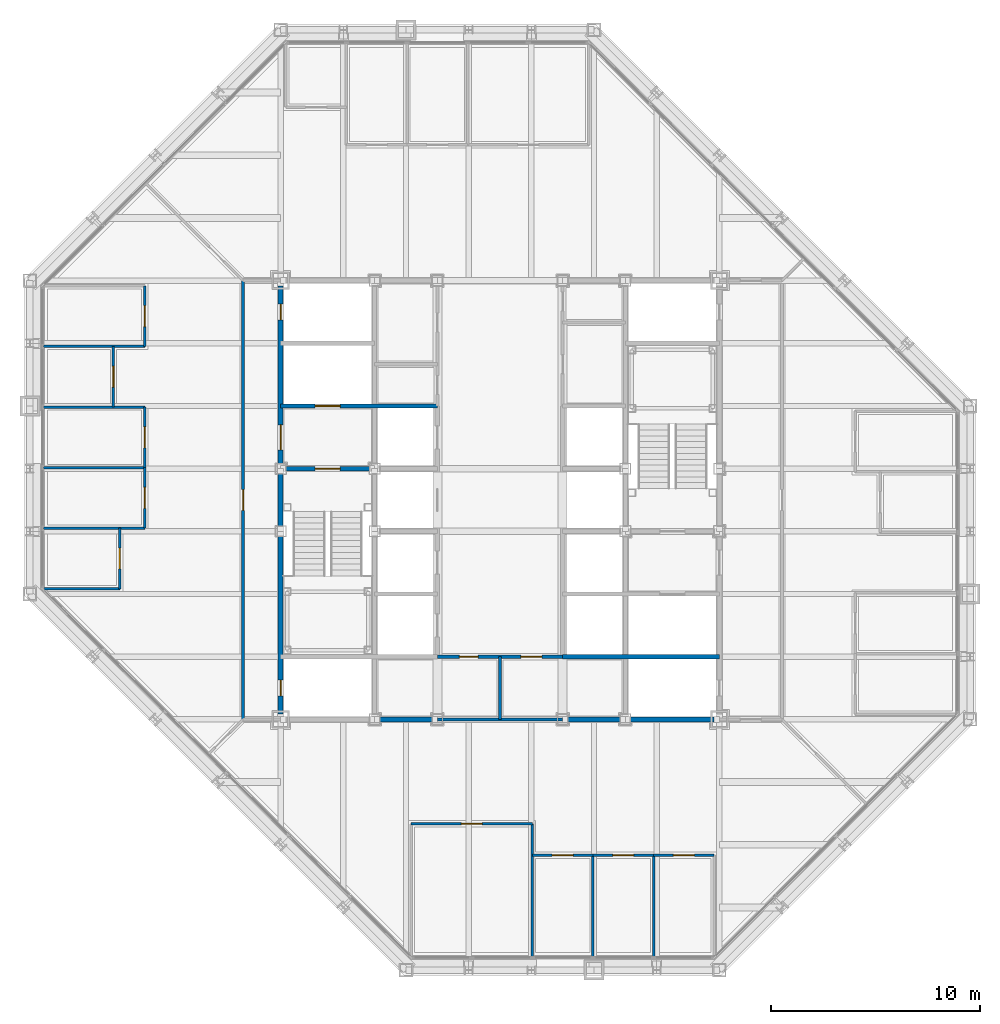
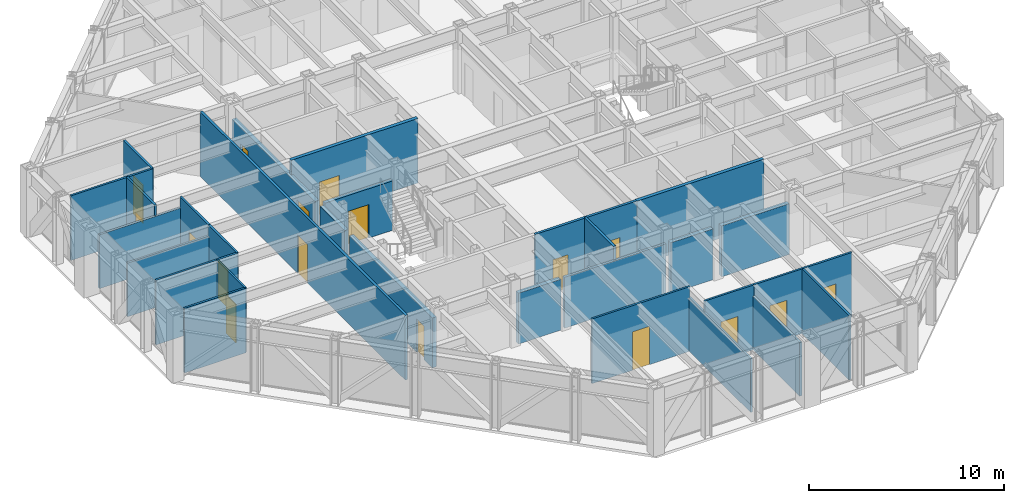
# One storey, part 11 of 16: 30 walls, 17 doors, 17 openings.
"""IFC4 building model written with IfcOpenShell, lengths in metres."""

from ifc_helpers import new_model, si_unit, direction, frame, frame_2d, origin, place, context, subcontext, project, spatial, rectangle, extrude, material, layer, layer_set, type_object, element, fill, save


model = new_model("IFC4")

# Units and contexts
model_context = context("Model", 3, precision=1e-05, world=origin(), true_north=direction((0.0, 1.0)))
body_context = subcontext(model_context, "Body", "Model", "MODEL_VIEW")
ifc_project = project(units=[si_unit("LENGTHUNIT", "METRE"), si_unit("AREAUNIT", "SQUARE_METRE"), si_unit("VOLUMEUNIT", "CUBIC_METRE"), si_unit("PLANEANGLEUNIT", "RADIAN"), si_unit("MASSUNIT", "GRAM", prefix="KILO")], contexts=[model_context])

# Site, building, storey
site_placement = place(None, origin())
site = spatial("IfcSite", under=ifc_project, at=site_placement, CompositionType="ELEMENT")
building_placement = place(site_placement, origin())
building = spatial("IfcBuilding", under=site, at=building_placement, Name="Chuquiago Exchange Tower", CompositionType="ELEMENT")
storey_placement = place(building_placement, frame((0.0, 0.0, 226.5)))
storey = spatial("IfcBuildingStorey", under=building, at=storey_placement, Name="L50", CompositionType="ELEMENT", Elevation=226.5)

# Wall, opening, door
ifc_material_1 = material(Name="Concrete masonry, fully grouted", Category="masonry")
ifc_layer_1 = layer(ifc_material_1, 0.25)
ifc_layer_set_1 = layer_set([ifc_layer_1], Name="W1 core wall 250")
wall_type_1 = type_object("IfcWallType", Name="W1 core wall 250", PredefinedType="SOLIDWALL", material=ifc_layer_set_1)
wall_1_placement = place(storey_placement, frame((12.0, 12.25, 0.0), z_axis=(0.0, 0.0, 1.0), x_axis=(0.0, 1.0, 0.0)))
wall_1 = element("IfcWall", 1, at=wall_1_placement, inside=storey, type_object=wall_type_1, Name="CW-L50-00-0", PredefinedType="SOLIDWALL", context=body_context, shape_type="SweptSolid", body=[
    extrude(rectangle(XDim=8.5, YDim=0.25, at=frame_2d((4.25, 0.0))), origin(), (0.0, 0.0, 1.0), 3.11279296875),
])
opening_1_placement = place(wall_1_placement, frame((0.875, 0.0, 0.0)))
opening_1 = element("IfcOpeningElement", 2, at=opening_1_placement, cuts=wall_1, Name="Opening L50-007", PredefinedType="OPENING", context=body_context, shape_type="SweptSolid", body=[
    extrude(rectangle(XDim=0.75, YDim=2.10009765625, at=frame_2d((0.375, 1.050048828125))), frame((0.0, 0.135009765625, 0.0), z_axis=(0.0, -1.0, 0.0), x_axis=(1.0, 0.0, 0.0)), (0.0, 0.0, 1.0), 0.27001953125),
])
ifc_material_2 = material(Name="Steel door, painted", Category="steel")
door_type_1 = type_object("IfcDoorType", Name="D6 riser access door 750x2100", OperationType="SINGLE_SWING_LEFT", PredefinedType="DOOR", material=ifc_material_2)
door_1_placement = place(opening_1_placement, origin())
door_1 = element("IfcDoor", 3, at=door_1_placement, inside=storey, type_object=door_type_1, Name="Riser RW1 door", OperationType="SINGLE_SWING_LEFT", OverallHeight=2.10009765625, OverallWidth=0.75, PredefinedType="DOOR", context=body_context, shape_type="SweptSolid", body=[
    extrude(rectangle(XDim=0.75, YDim=2.10009765625, at=frame_2d((0.375, 1.050048828125))), frame((0.0, 0.02490234375, 0.0), z_axis=(0.0, -1.0, 0.0), x_axis=(1.0, 0.0, 0.0)), (0.0, 0.0, 1.0), 0.050048828125),
])
fill(opening_1, door_1)

# Wall
wall_2_placement = place(storey_placement, frame((12.0, 21.25, 0.0), z_axis=(0.0, 0.0, 1.0), x_axis=(0.0, 1.0, 0.0)))
element("IfcWall", 4, at=wall_2_placement, inside=storey, type_object=wall_type_1, Name="CW-L50-00-1", PredefinedType="SOLIDWALL", context=body_context, shape_type="SweptSolid", body=[
    extrude(rectangle(XDim=2.5, YDim=0.25, at=frame_2d((1.25, 0.0))), origin(), (0.0, 0.0, 1.0), 3.11279296875),
])

# Wall, openings, doors
wall_3_placement = place(storey_placement, frame((12.0, 24.25, 0.0), z_axis=(0.0, 0.0, 1.0), x_axis=(0.0, 1.0, 0.0)))
wall_3 = element("IfcWall", 5, at=wall_3_placement, inside=storey, type_object=wall_type_1, Name="CW-L50-00-2", PredefinedType="SOLIDWALL", context=body_context, shape_type="SweptSolid", body=[
    extrude(rectangle(XDim=8.5, YDim=0.25, at=frame_2d((4.25, 0.0))), origin(), (0.0, 0.0, 1.0), 3.11279296875),
])
opening_2_placement = place(wall_3_placement, frame((0.64990234375, 0.0, 0.0)))
opening_2 = element("IfcOpeningElement", 6, at=opening_2_placement, cuts=wall_3, Name="Opening L50-002", PredefinedType="OPENING", context=body_context, shape_type="SweptSolid", body=[
    extrude(rectangle(XDim=1.199951171875, YDim=2.10009765625, at=frame_2d((0.60009765625, 1.050048828125))), frame((0.0, 0.135009765625, 0.0), z_axis=(0.0, -1.0, 0.0), x_axis=(1.0, 0.0, 0.0)), (0.0, 0.0, 1.0), 0.27001953125),
])
opening_3_placement = place(wall_3_placement, frame((6.875, 0.0, 0.0)))
opening_3 = element("IfcOpeningElement", 7, at=opening_3_placement, cuts=wall_3, Name="Opening L50-008", PredefinedType="OPENING", context=body_context, shape_type="SweptSolid", body=[
    extrude(rectangle(XDim=0.75, YDim=2.10009765625, at=frame_2d((0.375, 1.050048828125))), frame((0.0, 0.135009765625, 0.0), z_axis=(0.0, -1.0, 0.0), x_axis=(1.0, 0.0, 0.0)), (0.0, 0.0, 1.0), 0.27001953125),
])
ifc_material_3 = material(Name="Steel door, painted", Category="steel")
door_type_2 = type_object("IfcDoorType", Name="D5 firefighting lobby door 1200x2100", OperationType="SINGLE_SWING_LEFT", PredefinedType="DOOR", material=ifc_material_3)
door_2_placement = place(opening_2_placement, frame((1.199951171875, 0.0, 0.0), z_axis=(0.0, 0.0, 1.0), x_axis=(-1.0, 0.0, 0.0)))
door_2 = element("IfcDoor", 8, at=door_2_placement, inside=storey, type_object=door_type_2, Name="Firefighting lobby 1 door", OperationType="SINGLE_SWING_RIGHT", OverallHeight=2.10009765625, OverallWidth=1.199951171875, PredefinedType="DOOR", context=body_context, shape_type="SweptSolid", body=[
    extrude(rectangle(XDim=1.199951171875, YDim=2.10009765625, at=frame_2d((0.60009765625, 1.050048828125))), frame((0.0, 0.02490234375, 0.0), z_axis=(0.0, -1.0, 0.0), x_axis=(1.0, 0.0, 0.0)), (0.0, 0.0, 1.0), 0.050048828125),
])
fill(opening_2, door_2)
door_3_placement = place(opening_3_placement, origin())
door_3 = element("IfcDoor", 9, at=door_3_placement, inside=storey, type_object=door_type_1, Name="Riser RW2 door", OperationType="SINGLE_SWING_RIGHT", OverallHeight=2.10009765625, OverallWidth=0.75, PredefinedType="DOOR", context=body_context, shape_type="SweptSolid", body=[
    extrude(rectangle(XDim=0.75, YDim=2.10009765625, at=frame_2d((0.375, 1.050048828125))), frame((0.0, 0.02490234375, 0.0), z_axis=(0.0, -1.0, 0.0), x_axis=(1.0, 0.0, 0.0)), (0.0, 0.0, 1.0), 0.050048828125),
])
fill(opening_3, door_3)

# Walls
for number, where, z_axis, x_axis, name in (
    (10, (16.75, 12.0, 0.0), (0.0, 0.0, 1.0), (1.0, 0.0, 0.0), "CW-L50-01-1"),
    (11, (25.75, 12.0, 0.0), (0.0, 0.0, 1.0), (1.0, 0.0, 0.0), "CW-L50-02-0"),
):
    element("IfcWall", number, at=place(storey_placement, frame(where, z_axis=z_axis, x_axis=x_axis)), inside=storey, type_object=wall_type_1, Name=name, PredefinedType="SOLIDWALL", context=body_context, shape_type="SweptSolid", body=[
        extrude(rectangle(XDim=2.5, YDim=0.25, at=frame_2d((1.25, 0.0))), origin(), (0.0, 0.0, 1.0), 3.181396484375),
    ])
wall_4_placement = place(storey_placement, frame((28.75, 12.0, 0.0), z_axis=(0.0, 0.0, 1.0), x_axis=(1.0, 0.0, 0.0)))
element("IfcWall", 12, at=wall_4_placement, inside=storey, type_object=wall_type_1, Name="CW-L50-02-1", PredefinedType="SOLIDWALL", context=body_context, shape_type="SweptSolid", body=[
    extrude(rectangle(XDim=4.0, YDim=0.25, at=frame_2d((2.0, 0.0))), origin(), (0.0, 0.0, 1.0), 3.181396484375),
])

# Wall, opening, door
ifc_material_4 = material(Name="Gypsum board on steel studs, acoustic insulation", Category="steel")
ifc_layer_2 = layer(ifc_material_4, 0.14990234375)
ifc_layer_set_2 = layer_set([ifc_layer_2], Name="W11 corridor wall 150")
wall_type_2 = type_object("IfcWallType", Name="W11 corridor wall 150", PredefinedType="PARTITIONING", material=ifc_layer_set_2)
wall_5_placement = place(storey_placement, frame((10.199951171875, 12.0, 0.0), z_axis=(0.0, 0.0, 1.0), x_axis=(0.0, 1.0, 0.0)))
wall_5 = element("IfcWall", 13, at=wall_5_placement, inside=storey, type_object=wall_type_2, Name="PW-L50-GW0", PredefinedType="PARTITIONING", context=body_context, shape_type="SweptSolid", body=[
    extrude(rectangle(XDim=21.0, YDim=0.14990234375, at=frame_2d((10.5, 0.0))), origin(), (0.0, 0.0, 1.0), 4.0400390625),
])
opening_4_placement = place(wall_5_placement, frame((10.0, 0.0, 0.0)))
opening_4 = element("IfcOpeningElement", 14, at=opening_4_placement, cuts=wall_5, Name="Opening L50-038", PredefinedType="OPENING", context=body_context, shape_type="SweptSolid", body=[
    extrude(rectangle(XDim=1.0, YDim=2.39990234375, at=frame_2d((0.5, 1.199951171875))), frame((0.0, 0.0849609375, 0.0), z_axis=(0.0, -1.0, 0.0), x_axis=(1.0, 0.0, 0.0)), (0.0, 0.0, 1.0), 0.169921875),
])
ifc_material_5 = material(Name="Timber door, laminate faced", Category="wood")
door_type_3 = type_object("IfcDoorType", Name="D9 room door 1000x2400", OperationType="SINGLE_SWING_LEFT", PredefinedType="DOOR", material=ifc_material_5)
door_4_placement = place(opening_4_placement, origin())
door_4 = element("IfcDoor", 15, at=door_4_placement, inside=storey, type_object=door_type_3, Name="Team area door", OperationType="SINGLE_SWING_LEFT", OverallHeight=2.39990234375, OverallWidth=1.0, PredefinedType="DOOR", context=body_context, shape_type="SweptSolid", body=[
    extrude(rectangle(XDim=1.0, YDim=2.39990234375, at=frame_2d((0.5, 1.199951171875))), frame((0.0, 0.02490234375, 0.0), z_axis=(0.0, -1.0, 0.0), x_axis=(1.0, 0.0, 0.0)), (0.0, 0.0, 1.0), 0.050048828125),
])
fill(opening_4, door_4)

# Wall
ifc_material_6 = material(Name="Concrete masonry, fully grouted", Category="masonry")
ifc_layer_3 = layer(ifc_material_6, 0.199951171875)
ifc_layer_set_3 = layer_set([ifc_layer_3], Name="W2 shaft wall 200")
wall_type_3 = type_object("IfcWallType", Name="W2 shaft wall 200", PredefinedType="SOLIDWALL", material=ifc_layer_set_3)
wall_6_placement = place(storey_placement, frame((25.5, 15.0, 0.0), z_axis=(0.0, 0.0, 1.0), x_axis=(1.0, 0.0, 0.0)))
element("IfcWall", 16, at=wall_6_placement, inside=storey, type_object=wall_type_3, Name="CW-L50-04-0", PredefinedType="SOLIDWALL", context=body_context, shape_type="SweptSolid", body=[
    extrude(rectangle(XDim=7.5, YDim=0.199951171875, at=frame_2d((3.75, 0.0))), origin(), (0.0, 0.0, 1.0), 4.0400390625),
])

# Wall, opening, door
wall_7_placement = place(storey_placement, frame((12.25, 24.0, 0.0), z_axis=(0.0, 0.0, 1.0), x_axis=(1.0, 0.0, 0.0)))
wall_7 = element("IfcWall", 17, at=wall_7_placement, inside=storey, type_object=wall_type_3, Name="CW-L50-05-0", PredefinedType="SOLIDWALL", context=body_context, shape_type="SweptSolid", body=[
    extrude(rectangle(XDim=4.0, YDim=0.199951171875, at=frame_2d((2.0, 0.0))), origin(), (0.0, 0.0, 1.0), 3.090087890625),
])
opening_5_placement = place(wall_7_placement, frame((1.39990234375, 0.0, 0.0)))
opening_5 = element("IfcOpeningElement", 18, at=opening_5_placement, cuts=wall_7, Name="Opening L50-001", PredefinedType="OPENING", context=body_context, shape_type="SweptSolid", body=[
    extrude(rectangle(XDim=1.199951171875, YDim=2.10009765625, at=frame_2d((0.60009765625, 1.050048828125))), frame((0.0, 0.10986328125, 0.0), z_axis=(0.0, -1.0, 0.0), x_axis=(1.0, 0.0, 0.0)), (0.0, 0.0, 1.0), 0.219970703125),
])
ifc_material_7 = material(Name="Steel door, painted", Category="steel")
door_type_4 = type_object("IfcDoorType", Name="D4 stair door 1200x2100", OperationType="SINGLE_SWING_LEFT", PredefinedType="DOOR", material=ifc_material_7)
door_5_placement = place(opening_5_placement, frame((1.199951171875, 0.0, 0.0), z_axis=(0.0, 0.0, 1.0), x_axis=(-1.0, 0.0, 0.0)))
door_5 = element("IfcDoor", 19, at=door_5_placement, inside=storey, type_object=door_type_4, Name="Stair ST1 door", OperationType="SINGLE_SWING_RIGHT", OverallHeight=2.10009765625, OverallWidth=1.199951171875, PredefinedType="DOOR", context=body_context, shape_type="SweptSolid", body=[
    extrude(rectangle(XDim=1.199951171875, YDim=2.10009765625, at=frame_2d((0.60009765625, 1.050048828125))), frame((0.0, 0.02490234375, 0.0), z_axis=(0.0, -1.0, 0.0), x_axis=(1.0, 0.0, 0.0)), (0.0, 0.0, 1.0), 0.050048828125),
])
fill(opening_5, door_5)

wall_8_placement = place(storey_placement, frame((12.0, 27.0, 0.0), z_axis=(0.0, 0.0, 1.0), x_axis=(1.0, 0.0, 0.0)))
wall_8 = element("IfcWall", 20, at=wall_8_placement, inside=storey, type_object=wall_type_3, Name="CW-L50-07-0", PredefinedType="SOLIDWALL", context=body_context, shape_type="SweptSolid", body=[
    extrude(rectangle(XDim=7.5, YDim=0.199951171875, at=frame_2d((3.75, 0.0))), origin(), (0.0, 0.0, 1.0), 4.0400390625),
])
opening_6_placement = place(wall_8_placement, frame((1.64990234375, 0.0, 0.0)))
opening_6 = element("IfcOpeningElement", 21, at=opening_6_placement, cuts=wall_8, Name="Opening L50-005", PredefinedType="OPENING", context=body_context, shape_type="SweptSolid", body=[
    extrude(rectangle(XDim=1.199951171875, YDim=2.10009765625, at=frame_2d((0.60009765625, 1.050048828125))), frame((0.0, 0.10986328125, 0.0), z_axis=(0.0, -1.0, 0.0), x_axis=(1.0, 0.0, 0.0)), (0.0, 0.0, 1.0), 0.219970703125),
])
ifc_material_8 = material(Name="Stainless steel lift landing door", Category="steel")
door_type_5 = type_object("IfcDoorType", Name="LD2 firefighting lift landing door 1200x2100", OperationType="DOUBLE_DOOR_SLIDING", PredefinedType="DOOR", material=ifc_material_8)
door_6_placement = place(opening_6_placement, origin())
door_6 = element("IfcDoor", 22, at=door_6_placement, inside=storey, type_object=door_type_5, Name="Firefighting lift FL1 landing door", OperationType="DOUBLE_DOOR_SLIDING", OverallHeight=2.10009765625, OverallWidth=1.199951171875, PredefinedType="DOOR", context=body_context, shape_type="SweptSolid", body=[
    extrude(rectangle(XDim=1.199951171875, YDim=2.10009765625, at=frame_2d((0.60009765625, 1.050048828125))), frame((0.0, 0.02490234375, 0.0), z_axis=(0.0, -1.0, 0.0), x_axis=(1.0, 0.0, 0.0)), (0.0, 0.0, 1.0), 0.050048828125),
])
fill(opening_6, door_6)

# Wall, openings, doors
ifc_material_9 = material(Name="Gypsum board on steel studs", Category="steel")
ifc_layer_4 = layer(ifc_material_9, 0.14990234375)
ifc_layer_set_4 = layer_set([ifc_layer_4], Name="W3 core partition 150")
wall_type_4 = type_object("IfcWallType", Name="W3 core partition 150", PredefinedType="PARTITIONING", material=ifc_layer_set_4)
wall_9_placement = place(storey_placement, frame((19.5, 15.0, 0.0), z_axis=(0.0, 0.0, 1.0), x_axis=(1.0, 0.0, 0.0)))
wall_9 = element("IfcWall", 23, at=wall_9_placement, inside=storey, type_object=wall_type_4, Name="CW-L50-TF", PredefinedType="PARTITIONING", context=body_context, shape_type="SweptSolid", body=[
    extrude(rectangle(XDim=6.0, YDim=0.14990234375, at=frame_2d((3.0, 0.0))), origin(), (0.0, 0.0, 1.0), 4.0400390625),
])
opening_7_placement = place(wall_9_placement, frame((4.0, 0.0, 0.0)))
opening_7 = element("IfcOpeningElement", 24, at=opening_7_placement, cuts=wall_9, Name="Opening L50-015", PredefinedType="OPENING", context=body_context, shape_type="SweptSolid", body=[
    extrude(rectangle(XDim=1.0, YDim=2.10009765625, at=frame_2d((0.5, 1.050048828125))), frame((0.0, 0.0849609375, 0.0), z_axis=(0.0, -1.0, 0.0), x_axis=(1.0, 0.0, 0.0)), (0.0, 0.0, 1.0), 0.169921875),
])
opening_8_placement = place(wall_9_placement, frame((1.050048828125, 0.0, 0.0)))
opening_8 = element("IfcOpeningElement", 25, at=opening_8_placement, cuts=wall_9, Name="Opening L50-016", PredefinedType="OPENING", context=body_context, shape_type="SweptSolid", body=[
    extrude(rectangle(XDim=0.89990234375, YDim=2.10009765625, at=frame_2d((0.449951171875, 1.050048828125))), frame((0.0, 0.0849609375, 0.0), z_axis=(0.0, -1.0, 0.0), x_axis=(1.0, 0.0, 0.0)), (0.0, 0.0, 1.0), 0.169921875),
])
ifc_material_10 = material(Name="Timber door, laminate faced", Category="wood")
door_type_6 = type_object("IfcDoorType", Name="D7 toilet door 900x2100", OperationType="SINGLE_SWING_LEFT", PredefinedType="DOOR", material=ifc_material_10)
door_7_placement = place(opening_8_placement, origin())
door_7 = element("IfcDoor", 26, at=door_7_placement, inside=storey, type_object=door_type_6, Name="Cleaner door", OperationType="SINGLE_SWING_LEFT", OverallHeight=2.10009765625, OverallWidth=0.89990234375, PredefinedType="DOOR", context=body_context, shape_type="SweptSolid", body=[
    extrude(rectangle(XDim=0.89990234375, YDim=2.10009765625, at=frame_2d((0.449951171875, 1.050048828125))), frame((0.0, 0.02490234375, 0.0), z_axis=(0.0, -1.0, 0.0), x_axis=(1.0, 0.0, 0.0)), (0.0, 0.0, 1.0), 0.050048828125),
])
fill(opening_8, door_7)
ifc_material_11 = material(Name="Timber door, laminate faced", Category="wood")
door_type_7 = type_object("IfcDoorType", Name="D8 accessible toilet door 1000x2100", OperationType="SLIDING_TO_LEFT", PredefinedType="DOOR", material=ifc_material_11)
door_8_placement = place(opening_7_placement, origin())
door_8 = element("IfcDoor", 27, at=door_8_placement, inside=storey, type_object=door_type_7, Name="Accessible WC door", OperationType="SLIDING_TO_LEFT", OverallHeight=2.10009765625, OverallWidth=1.0, PredefinedType="DOOR", context=body_context, shape_type="SweptSolid", body=[
    extrude(rectangle(XDim=1.0, YDim=2.10009765625, at=frame_2d((0.5, 1.050048828125))), frame((0.0, 0.02490234375, 0.0), z_axis=(0.0, -1.0, 0.0), x_axis=(1.0, 0.0, 0.0)), (0.0, 0.0, 1.0), 0.050048828125),
])
fill(opening_7, door_8)

# Walls
wall_10_placement = place(storey_placement, frame((22.5, 15.0, 0.0), z_axis=(0.0, 0.0, 1.0), x_axis=(0.0, -1.0, 0.0)))
element("IfcWall", 28, at=wall_10_placement, inside=storey, type_object=wall_type_4, Name="CW-L50-TM", PredefinedType="PARTITIONING", context=body_context, shape_type="SweptSolid", body=[
    extrude(rectangle(XDim=3.0, YDim=0.14990234375, at=frame_2d((1.5, 0.0))), origin(), (0.0, 0.0, 1.0), 4.0400390625),
])
wall_11_placement = place(storey_placement, frame((19.5, 12.0, 0.0), z_axis=(0.0, 0.0, 1.0), x_axis=(1.0, 0.0, 0.0)))
element("IfcWall", 29, at=wall_11_placement, inside=storey, type_object=wall_type_4, Name="CW-L50-TB", PredefinedType="PARTITIONING", context=body_context, shape_type="SweptSolid", body=[
    extrude(rectangle(XDim=6.0, YDim=0.14990234375, at=frame_2d((3.0, 0.0))), origin(), (0.0, 0.0, 1.0), 3.181396484375),
])
ifc_material_12 = material(Name="Gypsum board on steel studs", Category="steel")
ifc_layer_5 = layer(ifc_material_12, 0.1201171875)
ifc_layer_set_5 = layer_set([ifc_layer_5], Name="W4 partition 120")
wall_type_5 = type_object("IfcWallType", Name="W4 partition 120", PredefinedType="PARTITIONING", material=ifc_layer_set_5)
wall_12_placement = place(storey_placement, frame((24.0498046875, 0.652587890625, 0.0), z_axis=(0.0, 0.0, 1.0), x_axis=(0.0, 1.0, 0.0)))
element("IfcWall", 30, at=wall_12_placement, inside=storey, type_object=wall_type_5, Name="PW-L50-S02405", PredefinedType="PARTITIONING", context=body_context, shape_type="SweptSolid", body=[
    extrude(rectangle(XDim=6.347412109375, YDim=0.1201171875, at=frame_2d((3.173828125, 0.0))), origin(), (0.0, 0.0, 1.0), 3.356689453125),
])
wall_13_placement = place(storey_placement, frame((26.9501953125, 0.652587890625, 0.0), z_axis=(0.0, 0.0, 1.0), x_axis=(0.0, 1.0, 0.0)))
element("IfcWall", 31, at=wall_13_placement, inside=storey, type_object=wall_type_5, Name="PW-L50-S02695", PredefinedType="PARTITIONING", context=body_context, shape_type="SweptSolid", body=[
    extrude(rectangle(XDim=4.847412109375, YDim=0.1201171875, at=frame_2d((2.423828125, 0.0))), origin(), (0.0, 0.0, 1.0), 3.356689453125),
])
wall_14_placement = place(storey_placement, frame((29.850830078125, 0.652587890625, 0.0), z_axis=(0.0, 0.0, 1.0), x_axis=(0.0, 1.0, 0.0)))
element("IfcWall", 32, at=wall_14_placement, inside=storey, type_object=wall_type_5, Name="PW-L50-S02985", PredefinedType="PARTITIONING", context=body_context, shape_type="SweptSolid", body=[
    extrude(rectangle(XDim=4.847412109375, YDim=0.1201171875, at=frame_2d((2.423828125, 0.0))), origin(), (0.0, 0.0, 1.0), 4.0400390625),
])

# Wall, opening, door
wall_15_placement = place(storey_placement, frame((18.24853515625, 7.0, 0.0), z_axis=(0.0, 0.0, 1.0), x_axis=(1.0, 0.0, 0.0)))
wall_15 = element("IfcWall", 33, at=wall_15_placement, inside=storey, type_object=wall_type_5, Name="PW-L50-SF01825", PredefinedType="PARTITIONING", context=body_context, shape_type="SweptSolid", body=[
    extrude(rectangle(XDim=5.80126953125, YDim=0.1201171875, at=frame_2d((2.900634765625, 0.0))), origin(), (0.0, 0.0, 1.0), 4.0400390625),
])
opening_9_placement = place(wall_15_placement, frame((2.400634765625, 0.0, 0.0)))
opening_9 = element("IfcOpeningElement", 34, at=opening_9_placement, cuts=wall_15, Name="Opening L50-021", PredefinedType="OPENING", context=body_context, shape_type="SweptSolid", body=[
    extrude(rectangle(XDim=1.0, YDim=2.39990234375, at=frame_2d((0.5, 1.199951171875))), frame((0.0, 0.070068359375, 0.0), z_axis=(0.0, -1.0, 0.0), x_axis=(1.0, 0.0, 0.0)), (0.0, 0.0, 1.0), 0.14013671875),
])
ifc_material_13 = material(Name="Timber frame door, full height glazed panel", Category="wood")
door_type_8 = type_object("IfcDoorType", Name="D14 glazed meeting room door 1000x2400", OperationType="SINGLE_SWING_LEFT", PredefinedType="DOOR", material=ifc_material_13)
door_9_placement = place(opening_9_placement, frame((1.0, 0.0, 0.0), z_axis=(0.0, 0.0, 1.0), x_axis=(-1.0, 0.0, 0.0)))
door_9 = element("IfcDoor", 35, at=door_9_placement, inside=storey, type_object=door_type_8, Name="Conference room door", OperationType="SINGLE_SWING_RIGHT", OverallHeight=2.39990234375, OverallWidth=1.0, PredefinedType="DOOR", context=body_context, shape_type="SweptSolid", body=[
    extrude(rectangle(XDim=1.0, YDim=2.39990234375, at=frame_2d((0.5, 1.199951171875))), frame((0.0, 0.02490234375, 0.0), z_axis=(0.0, -1.0, 0.0), x_axis=(1.0, 0.0, 0.0)), (0.0, 0.0, 1.0), 0.050048828125),
])
fill(opening_9, door_9)

wall_16_placement = place(storey_placement, frame((24.0498046875, 5.5, 0.0), z_axis=(0.0, 0.0, 1.0), x_axis=(1.0, 0.0, 0.0)))
wall_16 = element("IfcWall", 36, at=wall_16_placement, inside=storey, type_object=wall_type_5, Name="PW-L50-SF02405", PredefinedType="PARTITIONING", context=body_context, shape_type="SweptSolid", body=[
    extrude(rectangle(XDim=2.900390625, YDim=0.1201171875, at=frame_2d((1.4501953125, 0.0))), origin(), (0.0, 0.0, 1.0), 4.0400390625),
])
opening_10_placement = place(wall_16_placement, frame((0.9501953125, 0.0, 0.0)))
opening_10 = element("IfcOpeningElement", 37, at=opening_10_placement, cuts=wall_16, Name="Opening L50-022", PredefinedType="OPENING", context=body_context, shape_type="SweptSolid", body=[
    extrude(rectangle(XDim=1.0, YDim=2.39990234375, at=frame_2d((0.5, 1.199951171875))), frame((0.0, 0.070068359375, 0.0), z_axis=(0.0, -1.0, 0.0), x_axis=(1.0, 0.0, 0.0)), (0.0, 0.0, 1.0), 0.14013671875),
])
door_10_placement = place(opening_10_placement, frame((1.0, 0.0, 0.0), z_axis=(0.0, 0.0, 1.0), x_axis=(-1.0, 0.0, 0.0)))
door_10 = element("IfcDoor", 38, at=door_10_placement, inside=storey, type_object=door_type_3, Name="Office door", OperationType="SINGLE_SWING_LEFT", OverallHeight=2.39990234375, OverallWidth=1.0, PredefinedType="DOOR", context=body_context, shape_type="SweptSolid", body=[
    extrude(rectangle(XDim=1.0, YDim=2.39990234375, at=frame_2d((0.5, 1.199951171875))), frame((0.0, 0.02490234375, 0.0), z_axis=(0.0, -1.0, 0.0), x_axis=(1.0, 0.0, 0.0)), (0.0, 0.0, 1.0), 0.050048828125),
])
fill(opening_10, door_10)

wall_17_placement = place(storey_placement, frame((26.9501953125, 5.5, 0.0), z_axis=(0.0, 0.0, 1.0), x_axis=(1.0, 0.0, 0.0)))
wall_17 = element("IfcWall", 39, at=wall_17_placement, inside=storey, type_object=wall_type_5, Name="PW-L50-SF02695", PredefinedType="PARTITIONING", context=body_context, shape_type="SweptSolid", body=[
    extrude(rectangle(XDim=2.900634765625, YDim=0.1201171875, at=frame_2d((1.4501953125, 0.0))), origin(), (0.0, 0.0, 1.0), 4.0400390625),
])
opening_11_placement = place(wall_17_placement, frame((0.9501953125, 0.0, 0.0)))
opening_11 = element("IfcOpeningElement", 40, at=opening_11_placement, cuts=wall_17, Name="Opening L50-023", PredefinedType="OPENING", context=body_context, shape_type="SweptSolid", body=[
    extrude(rectangle(XDim=1.0, YDim=2.39990234375, at=frame_2d((0.5, 1.199951171875))), frame((0.0, 0.070068359375, 0.0), z_axis=(0.0, -1.0, 0.0), x_axis=(1.0, 0.0, 0.0)), (0.0, 0.0, 1.0), 0.14013671875),
])
door_11_placement = place(opening_11_placement, frame((1.0, 0.0, 0.0), z_axis=(0.0, 0.0, 1.0), x_axis=(-1.0, 0.0, 0.0)))
door_11 = element("IfcDoor", 41, at=door_11_placement, inside=storey, type_object=door_type_3, Name="Compliance office door", OperationType="SINGLE_SWING_RIGHT", OverallHeight=2.39990234375, OverallWidth=1.0, PredefinedType="DOOR", context=body_context, shape_type="SweptSolid", body=[
    extrude(rectangle(XDim=1.0, YDim=2.39990234375, at=frame_2d((0.5, 1.199951171875))), frame((0.0, 0.02490234375, 0.0), z_axis=(0.0, -1.0, 0.0), x_axis=(1.0, 0.0, 0.0)), (0.0, 0.0, 1.0), 0.050048828125),
])
fill(opening_11, door_11)

wall_18_placement = place(storey_placement, frame((29.850830078125, 5.5, 0.0), z_axis=(0.0, 0.0, 1.0), x_axis=(1.0, 0.0, 0.0)))
wall_18 = element("IfcWall", 42, at=wall_18_placement, inside=storey, type_object=wall_type_5, Name="PW-L50-SF02985", PredefinedType="PARTITIONING", context=body_context, shape_type="SweptSolid", body=[
    extrude(rectangle(XDim=2.900634765625, YDim=0.1201171875, at=frame_2d((1.4501953125, 0.0))), origin(), (0.0, 0.0, 1.0), 4.0400390625),
])
opening_12_placement = place(wall_18_placement, frame((0.9501953125, 0.0, 0.0)))
opening_12 = element("IfcOpeningElement", 43, at=opening_12_placement, cuts=wall_18, Name="Opening L50-024", PredefinedType="OPENING", context=body_context, shape_type="SweptSolid", body=[
    extrude(rectangle(XDim=1.0, YDim=2.39990234375, at=frame_2d((0.5, 1.199951171875))), frame((0.0, 0.070068359375, 0.0), z_axis=(0.0, -1.0, 0.0), x_axis=(1.0, 0.0, 0.0)), (0.0, 0.0, 1.0), 0.14013671875),
])
door_12_placement = place(opening_12_placement, frame((1.0, 0.0, 0.0), z_axis=(0.0, 0.0, 1.0), x_axis=(-1.0, 0.0, 0.0)))
door_12 = element("IfcDoor", 44, at=door_12_placement, inside=storey, type_object=door_type_3, Name="Office door", OperationType="SINGLE_SWING_RIGHT", OverallHeight=2.39990234375, OverallWidth=1.0, PredefinedType="DOOR", context=body_context, shape_type="SweptSolid", body=[
    extrude(rectangle(XDim=1.0, YDim=2.39990234375, at=frame_2d((0.5, 1.199951171875))), frame((0.0, 0.02490234375, 0.0), z_axis=(0.0, -1.0, 0.0), x_axis=(1.0, 0.0, 0.0)), (0.0, 0.0, 1.0), 0.050048828125),
])
fill(opening_12, door_12)

# Walls
wall_19_placement = place(storey_placement, frame((0.666015625, 18.24853515625, 0.0), z_axis=(0.0, 0.0, 1.0), x_axis=(1.0, 0.0, 0.0)))
element("IfcWall", 45, at=wall_19_placement, inside=storey, type_object=wall_type_5, Name="PW-L50-W01825", PredefinedType="PARTITIONING", context=body_context, shape_type="SweptSolid", body=[
    extrude(rectangle(XDim=3.634033203125, YDim=0.1201171875, at=frame_2d((1.81689453125, 0.0))), origin(), (0.0, 0.0, 1.0), 4.0400390625),
])
wall_20_placement = place(storey_placement, frame((0.652587890625, 21.149169921875, 0.0), z_axis=(0.0, 0.0, 1.0), x_axis=(1.0, 0.0, 0.0)))
element("IfcWall", 46, at=wall_20_placement, inside=storey, type_object=wall_type_5, Name="PW-L50-W02115", PredefinedType="PARTITIONING", context=body_context, shape_type="SweptSolid", body=[
    extrude(rectangle(XDim=4.847412109375, YDim=0.1201171875, at=frame_2d((2.423828125, 0.0))), origin(), (0.0, 0.0, 1.0), 4.0400390625),
])
for number, where, z_axis, x_axis, name in (
    (47, (0.652587890625, 24.0498046875, 0.0), (0.0, 0.0, 1.0), (1.0, 0.0, 0.0), "PW-L50-W02405"),
    (48, (0.652587890625, 26.9501953125, 0.0), (0.0, 0.0, 1.0), (1.0, 0.0, 0.0), "PW-L50-W02695"),
):
    element("IfcWall", number, at=place(storey_placement, frame(where, z_axis=z_axis, x_axis=x_axis)), inside=storey, type_object=wall_type_5, Name=name, PredefinedType="PARTITIONING", context=body_context, shape_type="SweptSolid", body=[
        extrude(rectangle(XDim=4.847412109375, YDim=0.1201171875, at=frame_2d((2.423828125, 0.0))), origin(), (0.0, 0.0, 1.0), 3.356689453125),
    ])
wall_21_placement = place(storey_placement, frame((0.652587890625, 29.850830078125, 0.0), z_axis=(0.0, 0.0, 1.0), x_axis=(1.0, 0.0, 0.0)))
element("IfcWall", 49, at=wall_21_placement, inside=storey, type_object=wall_type_5, Name="PW-L50-W02985", PredefinedType="PARTITIONING", context=body_context, shape_type="SweptSolid", body=[
    extrude(rectangle(XDim=4.847412109375, YDim=0.1201171875, at=frame_2d((2.423828125, 0.0))), origin(), (0.0, 0.0, 1.0), 4.0400390625),
])

# Wall, opening, door
wall_22_placement = place(storey_placement, frame((4.300048828125, 18.24853515625, 0.0), z_axis=(0.0, 0.0, 1.0), x_axis=(0.0, 1.0, 0.0)))
wall_22 = element("IfcWall", 50, at=wall_22_placement, inside=storey, type_object=wall_type_5, Name="PW-L50-WF01825", PredefinedType="PARTITIONING", context=body_context, shape_type="SweptSolid", body=[
    extrude(rectangle(XDim=2.900634765625, YDim=0.1201171875, at=frame_2d((1.4501953125, 0.0))), origin(), (0.0, 0.0, 1.0), 4.0400390625),
])
opening_13_placement = place(wall_22_placement, frame((0.9501953125, 0.0, 0.0)))
opening_13 = element("IfcOpeningElement", 51, at=opening_13_placement, cuts=wall_22, Name="Opening L50-033", PredefinedType="OPENING", context=body_context, shape_type="SweptSolid", body=[
    extrude(rectangle(XDim=1.0, YDim=2.39990234375, at=frame_2d((0.5, 1.199951171875))), frame((0.0, 0.070068359375, 0.0), z_axis=(0.0, -1.0, 0.0), x_axis=(1.0, 0.0, 0.0)), (0.0, 0.0, 1.0), 0.14013671875),
])
door_13_placement = place(opening_13_placement, origin())
door_13 = element("IfcDoor", 52, at=door_13_placement, inside=storey, type_object=door_type_3, Name="Pantry door", OperationType="SINGLE_SWING_LEFT", OverallHeight=2.39990234375, OverallWidth=1.0, PredefinedType="DOOR", context=body_context, shape_type="SweptSolid", body=[
    extrude(rectangle(XDim=1.0, YDim=2.39990234375, at=frame_2d((0.5, 1.199951171875))), frame((0.0, 0.02490234375, 0.0), z_axis=(0.0, -1.0, 0.0), x_axis=(1.0, 0.0, 0.0)), (0.0, 0.0, 1.0), 0.050048828125),
])
fill(opening_13, door_13)

wall_23_placement = place(storey_placement, frame((5.5, 21.149169921875, 0.0), z_axis=(0.0, 0.0, 1.0), x_axis=(0.0, 1.0, 0.0)))
wall_23 = element("IfcWall", 53, at=wall_23_placement, inside=storey, type_object=wall_type_5, Name="PW-L50-WF02115", PredefinedType="PARTITIONING", context=body_context, shape_type="SweptSolid", body=[
    extrude(rectangle(XDim=2.900634765625, YDim=0.1201171875, at=frame_2d((1.4501953125, 0.0))), origin(), (0.0, 0.0, 1.0), 4.0400390625),
])
opening_14_placement = place(wall_23_placement, frame((0.9501953125, 0.0, 0.0)))
opening_14 = element("IfcOpeningElement", 54, at=opening_14_placement, cuts=wall_23, Name="Opening L50-034", PredefinedType="OPENING", context=body_context, shape_type="SweptSolid", body=[
    extrude(rectangle(XDim=1.0, YDim=2.39990234375, at=frame_2d((0.5, 1.199951171875))), frame((0.0, 0.070068359375, 0.0), z_axis=(0.0, -1.0, 0.0), x_axis=(1.0, 0.0, 0.0)), (0.0, 0.0, 1.0), 0.14013671875),
])
door_14_placement = place(opening_14_placement, origin())
door_14 = element("IfcDoor", 55, at=door_14_placement, inside=storey, type_object=door_type_3, Name="Office door", OperationType="SINGLE_SWING_LEFT", OverallHeight=2.39990234375, OverallWidth=1.0, PredefinedType="DOOR", context=body_context, shape_type="SweptSolid", body=[
    extrude(rectangle(XDim=1.0, YDim=2.39990234375, at=frame_2d((0.5, 1.199951171875))), frame((0.0, 0.02490234375, 0.0), z_axis=(0.0, -1.0, 0.0), x_axis=(1.0, 0.0, 0.0)), (0.0, 0.0, 1.0), 0.050048828125),
])
fill(opening_14, door_14)

wall_24_placement = place(storey_placement, frame((5.5, 24.0498046875, 0.0), z_axis=(0.0, 0.0, 1.0), x_axis=(0.0, 1.0, 0.0)))
wall_24 = element("IfcWall", 56, at=wall_24_placement, inside=storey, type_object=wall_type_5, Name="PW-L50-WF02405", PredefinedType="PARTITIONING", context=body_context, shape_type="SweptSolid", body=[
    extrude(rectangle(XDim=2.900390625, YDim=0.1201171875, at=frame_2d((1.4501953125, 0.0))), origin(), (0.0, 0.0, 1.0), 4.0400390625),
])
opening_15_placement = place(wall_24_placement, frame((0.9501953125, 0.0, 0.0)))
opening_15 = element("IfcOpeningElement", 57, at=opening_15_placement, cuts=wall_24, Name="Opening L50-035", PredefinedType="OPENING", context=body_context, shape_type="SweptSolid", body=[
    extrude(rectangle(XDim=1.0, YDim=2.39990234375, at=frame_2d((0.5, 1.199951171875))), frame((0.0, 0.070068359375, 0.0), z_axis=(0.0, -1.0, 0.0), x_axis=(1.0, 0.0, 0.0)), (0.0, 0.0, 1.0), 0.14013671875),
])
door_15_placement = place(opening_15_placement, origin())
door_15 = element("IfcDoor", 58, at=door_15_placement, inside=storey, type_object=door_type_8, Name="Meeting room door", OperationType="SINGLE_SWING_RIGHT", OverallHeight=2.39990234375, OverallWidth=1.0, PredefinedType="DOOR", context=body_context, shape_type="SweptSolid", body=[
    extrude(rectangle(XDim=1.0, YDim=2.39990234375, at=frame_2d((0.5, 1.199951171875))), frame((0.0, 0.02490234375, 0.0), z_axis=(0.0, -1.0, 0.0), x_axis=(1.0, 0.0, 0.0)), (0.0, 0.0, 1.0), 0.050048828125),
])
fill(opening_15, door_15)

wall_25_placement = place(storey_placement, frame((4.0, 26.9501953125, 0.0), z_axis=(0.0, 0.0, 1.0), x_axis=(0.0, 1.0, 0.0)))
wall_25 = element("IfcWall", 59, at=wall_25_placement, inside=storey, type_object=wall_type_5, Name="PW-L50-WF02695", PredefinedType="PARTITIONING", context=body_context, shape_type="SweptSolid", body=[
    extrude(rectangle(XDim=2.900634765625, YDim=0.1201171875, at=frame_2d((1.4501953125, 0.0))), origin(), (0.0, 0.0, 1.0), 4.0400390625),
])
opening_16_placement = place(wall_25_placement, frame((0.9501953125, 0.0, 0.0)))
opening_16 = element("IfcOpeningElement", 60, at=opening_16_placement, cuts=wall_25, Name="Opening L50-036", PredefinedType="OPENING", context=body_context, shape_type="SweptSolid", body=[
    extrude(rectangle(XDim=1.0, YDim=2.39990234375, at=frame_2d((0.5, 1.199951171875))), frame((0.0, 0.070068359375, 0.0), z_axis=(0.0, -1.0, 0.0), x_axis=(1.0, 0.0, 0.0)), (0.0, 0.0, 1.0), 0.14013671875),
])
door_16_placement = place(opening_16_placement, origin())
door_16 = element("IfcDoor", 61, at=door_16_placement, inside=storey, type_object=door_type_3, Name="Store door", OperationType="SINGLE_SWING_LEFT", OverallHeight=2.39990234375, OverallWidth=1.0, PredefinedType="DOOR", context=body_context, shape_type="SweptSolid", body=[
    extrude(rectangle(XDim=1.0, YDim=2.39990234375, at=frame_2d((0.5, 1.199951171875))), frame((0.0, 0.02490234375, 0.0), z_axis=(0.0, -1.0, 0.0), x_axis=(1.0, 0.0, 0.0)), (0.0, 0.0, 1.0), 0.050048828125),
])
fill(opening_16, door_16)

wall_26_placement = place(storey_placement, frame((5.5, 29.850830078125, 0.0), z_axis=(0.0, 0.0, 1.0), x_axis=(0.0, 1.0, 0.0)))
wall_26 = element("IfcWall", 62, at=wall_26_placement, inside=storey, type_object=wall_type_5, Name="PW-L50-WF02985", PredefinedType="PARTITIONING", context=body_context, shape_type="SweptSolid", body=[
    extrude(rectangle(XDim=2.900634765625, YDim=0.1201171875, at=frame_2d((1.4501953125, 0.0))), origin(), (0.0, 0.0, 1.0), 4.0400390625),
])
opening_17_placement = place(wall_26_placement, frame((0.9501953125, 0.0, 0.0)))
opening_17 = element("IfcOpeningElement", 63, at=opening_17_placement, cuts=wall_26, Name="Opening L50-037", PredefinedType="OPENING", context=body_context, shape_type="SweptSolid", body=[
    extrude(rectangle(XDim=1.0, YDim=2.39990234375, at=frame_2d((0.5, 1.199951171875))), frame((0.0, 0.070068359375, 0.0), z_axis=(0.0, -1.0, 0.0), x_axis=(1.0, 0.0, 0.0)), (0.0, 0.0, 1.0), 0.14013671875),
])
door_17_placement = place(opening_17_placement, origin())
door_17 = element("IfcDoor", 64, at=door_17_placement, inside=storey, type_object=door_type_3, Name="Office door", OperationType="SINGLE_SWING_LEFT", OverallHeight=2.39990234375, OverallWidth=1.0, PredefinedType="DOOR", context=body_context, shape_type="SweptSolid", body=[
    extrude(rectangle(XDim=1.0, YDim=2.39990234375, at=frame_2d((0.5, 1.199951171875))), frame((0.0, 0.02490234375, 0.0), z_axis=(0.0, -1.0, 0.0), x_axis=(1.0, 0.0, 0.0)), (0.0, 0.0, 1.0), 0.050048828125),
])
fill(opening_17, door_17)

save(model, "model.ifc")
